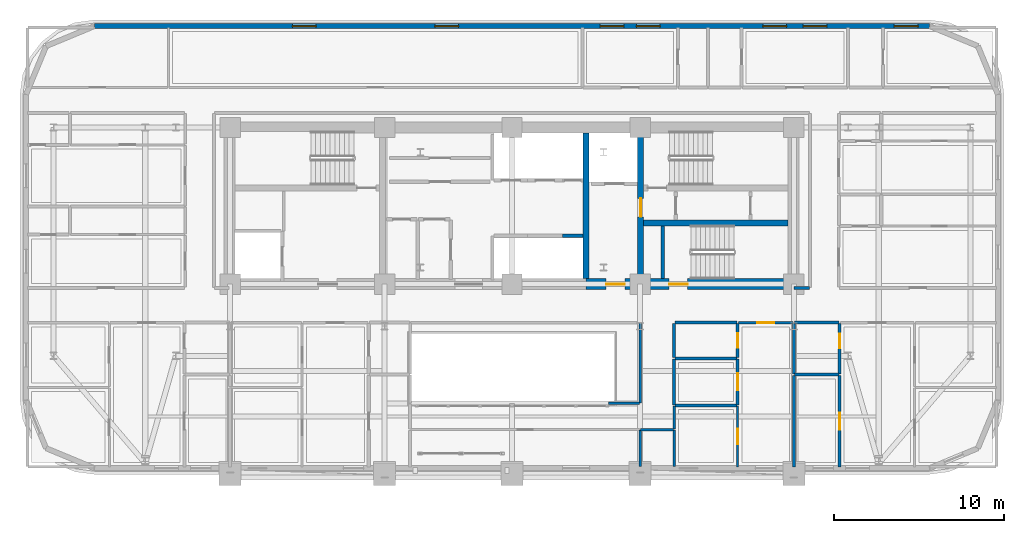
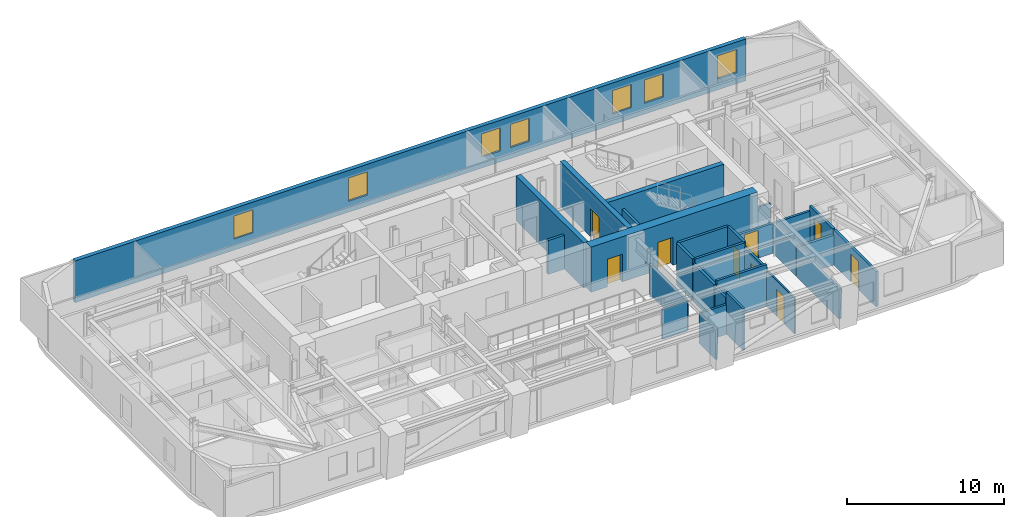
# One storey, part 11 of 16: 29 walls, 9 doors, 7 windows, 16 openings.
"""IFC4 building model written with IfcOpenShell, lengths in metres."""

from ifc_helpers import new_model, si_unit, direction, frame, frame_2d, origin, place, context, subcontext, project, spatial, rectangle, extrude, material, layer, layer_set, type_object, element, fill, save


model = new_model("IFC4")

# Units and contexts
model_context = context("Model", 3, precision=1e-05, world=origin(), true_north=direction((0.0, 1.0)))
body_context = subcontext(model_context, "Body", "Model", "MODEL_VIEW")
ifc_project = project(units=[si_unit("LENGTHUNIT", "METRE"), si_unit("AREAUNIT", "SQUARE_METRE"), si_unit("VOLUMEUNIT", "CUBIC_METRE"), si_unit("PLANEANGLEUNIT", "RADIAN"), si_unit("MASSUNIT", "GRAM", prefix="KILO")], contexts=[model_context])

# Site, building, storey
site_placement = place(None, origin())
site = spatial("IfcSite", under=ifc_project, at=site_placement, CompositionType="ELEMENT")
building_placement = place(site_placement, origin())
building = spatial("IfcBuilding", under=site, at=building_placement, Name="Zarnavel Station Tower", CompositionType="ELEMENT")
storey_placement = place(building_placement, frame((0.0, 0.0, 104.800048828125)))
storey = spatial("IfcBuildingStorey", under=building, at=storey_placement, Name="L28", CompositionType="ELEMENT", Elevation=104.800048828125)

# Wall
ifc_material_1 = material(Name="Concrete C50/60", Category="concrete")
ifc_layer_1 = layer(ifc_material_1, 0.35009765625)
ifc_layer_set_1 = layer_set([ifc_layer_1], Name="CW_350")
wall_type_1 = type_object("IfcWallType", Name="CW_350", PredefinedType="SHEAR", material=ifc_layer_set_1)
wall_1_placement = place(storey_placement, frame((33.14990234375, 28.14501953125, 0.0), z_axis=(0.0, 0.0, 1.0), x_axis=(0.0, 1.0, 0.0)))
element("IfcWall", 1, at=wall_1_placement, inside=storey, type_object=wall_type_1, Name="L28 Rear Core Shear Wall DIV-E", PredefinedType="SHEAR", context=body_context, shape_type="SweptSolid", body=[
    extrude(rectangle(XDim=8.580078125, YDim=0.35009765625, at=frame_2d((4.2900390625, 0.0))), origin(), (0.0, 0.0, 1.0), 3.5),
])

# Wall, opening, door
wall_2_placement = place(storey_placement, frame((36.3798828125, 28.14501953125, 0.0), z_axis=(0.0, 0.0, 1.0), x_axis=(0.0, 1.0, 0.0)))
wall_2 = element("IfcWall", 2, at=wall_2_placement, inside=storey, type_object=wall_type_1, Name="L28 Rear Core Shear Wall DIV-S2", PredefinedType="SHEAR", context=body_context, shape_type="SweptSolid", body=[
    extrude(rectangle(XDim=8.580078125, YDim=0.35009765625, at=frame_2d((4.2900390625, 0.0))), origin(), (0.0, 0.0, 1.0), 3.5),
])
opening_1_placement = place(wall_2_placement, frame((3.635009765625, 0.0, 0.0)))
opening_1 = element("IfcOpeningElement", 3, at=opening_1_placement, cuts=wall_2, Name="Opening FD01", PredefinedType="OPENING", context=body_context, shape_type="SweptSolid", body=[
    extrude(rectangle(XDim=1.10009765625, YDim=2.14990234375, at=frame_2d((0.550048828125, 1.074951171875))), frame((0.0, 0.18505859375, 0.0), z_axis=(0.0, -1.0, 0.0), x_axis=(1.0, 0.0, 0.0)), (0.0, 0.0, 1.0), 0.3701171875),
])
ifc_material_2 = material(Name="Painted Galvanised Steel and Hardwood Leaf", Category="steel")
door_type_1 = type_object("IfcDoorType", Name="ID_STAIR_1100", OperationType="NOTDEFINED", PredefinedType="DOOR", material=ifc_material_2)
door_1_placement = place(opening_1_placement, origin())
door_1 = element("IfcDoor", 4, at=door_1_placement, inside=storey, type_object=door_type_1, Name="L28 East Stair Vestibule Fire Door", OperationType="SINGLE_SWING_LEFT", OverallHeight=2.14990234375, OverallWidth=1.10009765625, PredefinedType="DOOR", context=body_context, shape_type="SweptSolid", body=[
    extrude(rectangle(XDim=1.10009765625, YDim=2.14990234375, at=frame_2d((0.550048828125, 1.074951171875))), frame((0.0, 0.02490234375, 0.0), z_axis=(0.0, -1.0, 0.0), x_axis=(1.0, 0.0, 0.0)), (0.0, 0.0, 1.0), 0.050048828125),
])
fill(opening_1, door_1)

# Wall
wall_3_placement = place(storey_placement, frame((36.554931640625, 31.419921875, 0.0), z_axis=(0.0, 0.0, 1.0), x_axis=(1.0, 0.0, 0.0)))
element("IfcWall", 5, at=wall_3_placement, inside=storey, type_object=wall_type_1, Name="L28 Rear Core Shear Wall DIV-H3", PredefinedType="SHEAR", context=body_context, shape_type="SweptSolid", body=[
    extrude(rectangle(XDim=8.5, YDim=0.35009765625, at=frame_2d((4.25, 0.0))), origin(), (0.0, 0.0, 1.0), 3.5),
])

# Wall, openings, doors
ifc_material_3 = material(Name="Concrete C60/75", Category="concrete")
ifc_layer_2 = layer(ifc_material_3, 0.64990234375)
ifc_layer_set_2 = layer_set([ifc_layer_2], Name="CW_650")
wall_type_2 = type_object("IfcWallType", Name="CW_650", PredefinedType="SHEAR", material=ifc_layer_set_2)
wall_4_placement = place(storey_placement, frame((45.3798828125, 27.820068359375, 0.0), z_axis=(0.0, 0.0, 1.0), x_axis=(-1.0, 0.0, 0.0)))
wall_4 = element("IfcWall", 6, at=wall_4_placement, inside=storey, type_object=wall_type_2, Name="L28 Rear Core Shear Wall S-E", PredefinedType="SHEAR", context=body_context, shape_type="SweptSolid", body=[
    extrude(rectangle(XDim=12.22998046875, YDim=0.64990234375, at=frame_2d((6.114990234375, 0.0))), origin(), (0.0, 0.0, 1.0), 3.5),
])
opening_2_placement = place(wall_4_placement, frame((9.929931640625, 0.0, 0.0)))
opening_2 = element("IfcOpeningElement", 7, at=opening_2_placement, cuts=wall_4, Name="Opening FD01", PredefinedType="OPENING", context=body_context, shape_type="SweptSolid", body=[
    extrude(rectangle(XDim=1.10009765625, YDim=2.14990234375, at=frame_2d((0.550048828125, 1.074951171875))), frame((0.0, 0.3349609375, 0.0), z_axis=(0.0, -1.0, 0.0), x_axis=(1.0, 0.0, 0.0)), (0.0, 0.0, 1.0), 0.669921875),
])
opening_3_placement = place(wall_4_placement, frame((6.22998046875, 0.0, 0.0)))
opening_3 = element("IfcOpeningElement", 8, at=opening_3_placement, cuts=wall_4, Name="Opening FD01", PredefinedType="OPENING", context=body_context, shape_type="SweptSolid", body=[
    extrude(rectangle(XDim=1.10009765625, YDim=2.14990234375, at=frame_2d((0.550048828125, 1.074951171875))), frame((0.0, 0.3349609375, 0.0), z_axis=(0.0, -1.0, 0.0), x_axis=(1.0, 0.0, 0.0)), (0.0, 0.0, 1.0), 0.669921875),
])
door_2_placement = place(opening_2_placement, origin())
door_2 = element("IfcDoor", 9, at=door_2_placement, inside=storey, type_object=door_type_1, Name="L28 East Firefighting Lobby Door", OperationType="SINGLE_SWING_LEFT", OverallHeight=2.14990234375, OverallWidth=1.10009765625, PredefinedType="DOOR", context=body_context, shape_type="SweptSolid", body=[
    extrude(rectangle(XDim=1.10009765625, YDim=2.14990234375, at=frame_2d((0.550048828125, 1.074951171875))), frame((0.0, 0.02490234375, 0.0), z_axis=(0.0, -1.0, 0.0), x_axis=(1.0, 0.0, 0.0)), (0.0, 0.0, 1.0), 0.050048828125),
])
fill(opening_2, door_2)
door_3_placement = place(opening_3_placement, origin())
door_3 = element("IfcDoor", 10, at=door_3_placement, inside=storey, type_object=door_type_1, Name="L28 Stair ST3 Corridor Fire Door", OperationType="SINGLE_SWING_RIGHT", OverallHeight=2.14990234375, OverallWidth=1.10009765625, PredefinedType="DOOR", context=body_context, shape_type="SweptSolid", body=[
    extrude(rectangle(XDim=1.10009765625, YDim=2.14990234375, at=frame_2d((0.550048828125, 1.074951171875))), frame((0.0, 0.02490234375, 0.0), z_axis=(0.0, -1.0, 0.0), x_axis=(1.0, 0.0, 0.0)), (0.0, 0.0, 1.0), 0.050048828125),
])
fill(opening_3, door_3)

# Wall, openings, windows
ifc_material_4 = material(Name="Precast concrete C45/55 (Dark Basalt Finish)", Category="masonry")
ifc_layer_3 = layer(ifc_material_4, 0.300048828125)
ifc_layer_set_3 = layer_set([ifc_layer_3], Name="EW_BASALT_300")
wall_type_3 = type_object("IfcWallType", Name="EW_BASALT_300", PredefinedType="SOLIDWALL", material=ifc_layer_set_3)
wall_5_placement = place(storey_placement, frame((4.199951171875, 43.02001953125, 0.0), z_axis=(0.0, 0.0, 1.0), x_axis=(1.0, 0.0, 0.0)))
wall_5 = element("IfcWall", 11, at=wall_5_placement, inside=storey, type_object=wall_type_3, Name="L28 Exterior Basalt Masonry Frame Wall 06", PredefinedType="SOLIDWALL", context=body_context, shape_type="SweptSolid", body=[
    extrude(rectangle(XDim=49.199951171875, YDim=0.300048828125, at=frame_2d((24.60009765625, 0.0))), origin(), (0.0, 0.0, 1.0), 3.239990234375),
])
opening_4_placement = place(wall_5_placement, frame((11.65673828125, 0.0, 0.85009765625)))
opening_4 = element("IfcOpeningElement", 12, at=opening_4_placement, cuts=wall_5, Name="Opening WN01", PredefinedType="OPENING", context=body_context, shape_type="SweptSolid", body=[
    extrude(rectangle(XDim=1.39990234375, YDim=1.800048828125, at=frame_2d((0.699951171875, 0.89990234375))), frame((0.0, 0.159912109375, 0.0), z_axis=(0.0, -1.0, 0.0), x_axis=(1.0, 0.0, 0.0)), (0.0, 0.0, 1.0), 0.320068359375),
])
opening_5_placement = place(wall_5_placement, frame((20.05322265625, 0.0, 0.85009765625)))
opening_5 = element("IfcOpeningElement", 13, at=opening_5_placement, cuts=wall_5, Name="Opening WN01", PredefinedType="OPENING", context=body_context, shape_type="SweptSolid", body=[
    extrude(rectangle(XDim=1.39990234375, YDim=1.800048828125, at=frame_2d((0.699951171875, 0.89990234375))), frame((0.0, 0.159912109375, 0.0), z_axis=(0.0, -1.0, 0.0), x_axis=(1.0, 0.0, 0.0)), (0.0, 0.0, 1.0), 0.320068359375),
])
opening_6_placement = place(wall_5_placement, frame((29.7890625, 0.0, 0.85009765625)))
opening_6 = element("IfcOpeningElement", 14, at=opening_6_placement, cuts=wall_5, Name="Opening WN01", PredefinedType="OPENING", context=body_context, shape_type="SweptSolid", body=[
    extrude(rectangle(XDim=1.39990234375, YDim=1.800048828125, at=frame_2d((0.699951171875, 0.89990234375))), frame((0.0, 0.159912109375, 0.0), z_axis=(0.0, -1.0, 0.0), x_axis=(1.0, 0.0, 0.0)), (0.0, 0.0, 1.0), 0.320068359375),
])
opening_7_placement = place(wall_5_placement, frame((31.927978515625, 0.0, 0.85009765625)))
opening_7 = element("IfcOpeningElement", 15, at=opening_7_placement, cuts=wall_5, Name="Opening WN01", PredefinedType="OPENING", context=body_context, shape_type="SweptSolid", body=[
    extrude(rectangle(XDim=1.39990234375, YDim=1.800048828125, at=frame_2d((0.699951171875, 0.89990234375))), frame((0.0, 0.159912109375, 0.0), z_axis=(0.0, -1.0, 0.0), x_axis=(1.0, 0.0, 0.0)), (0.0, 0.0, 1.0), 0.320068359375),
])
opening_8_placement = place(wall_5_placement, frame((39.382080078125, 0.0, 0.85009765625)))
opening_8 = element("IfcOpeningElement", 16, at=opening_8_placement, cuts=wall_5, Name="Opening WN01", PredefinedType="OPENING", context=body_context, shape_type="SweptSolid", body=[
    extrude(rectangle(XDim=1.39990234375, YDim=1.800048828125, at=frame_2d((0.699951171875, 0.89990234375))), frame((0.0, 0.159912109375, 0.0), z_axis=(0.0, -1.0, 0.0), x_axis=(1.0, 0.0, 0.0)), (0.0, 0.0, 1.0), 0.320068359375),
])
opening_9_placement = place(wall_5_placement, frame((41.740966796875, 0.0, 0.85009765625)))
opening_9 = element("IfcOpeningElement", 17, at=opening_9_placement, cuts=wall_5, Name="Opening WN01", PredefinedType="OPENING", context=body_context, shape_type="SweptSolid", body=[
    extrude(rectangle(XDim=1.39990234375, YDim=1.800048828125, at=frame_2d((0.699951171875, 0.89990234375))), frame((0.0, 0.159912109375, 0.0), z_axis=(0.0, -1.0, 0.0), x_axis=(1.0, 0.0, 0.0)), (0.0, 0.0, 1.0), 0.320068359375),
])
opening_10_placement = place(wall_5_placement, frame((47.114990234375, 0.0, 0.85009765625)))
opening_10 = element("IfcOpeningElement", 18, at=opening_10_placement, cuts=wall_5, Name="Opening WN01", PredefinedType="OPENING", context=body_context, shape_type="SweptSolid", body=[
    extrude(rectangle(XDim=1.39990234375, YDim=1.800048828125, at=frame_2d((0.699951171875, 0.89990234375))), frame((0.0, 0.159912109375, 0.0), z_axis=(0.0, -1.0, 0.0), x_axis=(1.0, 0.0, 0.0)), (0.0, 0.0, 1.0), 0.320068359375),
])
ifc_material_5 = material(Name="Thermally Broken Black Aluminium and Low-E Dark Glass", Category="aluminium")
window_type = type_object("IfcWindowType", Name="WN_1400x1800", PartitioningType="DOUBLE_PANEL_VERTICAL", PredefinedType="WINDOW", material=ifc_material_5)
window_1_placement = place(opening_4_placement, origin())
window_1 = element("IfcWindow", 19, at=window_1_placement, inside=storey, type_object=window_type, Name="L28 Recessed Facade Window 01", OverallHeight=1.800048828125, OverallWidth=1.39990234375, PartitioningType="SINGLE_PANEL", PredefinedType="WINDOW", context=body_context, shape_type="SweptSolid", body=[
    extrude(rectangle(XDim=1.39990234375, YDim=1.800048828125, at=frame_2d((0.699951171875, 0.89990234375))), frame((0.0, 0.030029296875, 0.0), z_axis=(0.0, -1.0, 0.0), x_axis=(1.0, 0.0, 0.0)), (0.0, 0.0, 1.0), 0.06005859375),
])
fill(opening_4, window_1)
window_2_placement = place(opening_5_placement, origin())
window_2 = element("IfcWindow", 20, at=window_2_placement, inside=storey, type_object=window_type, Name="L28 Recessed Facade Window 02", OverallHeight=1.800048828125, OverallWidth=1.39990234375, PartitioningType="SINGLE_PANEL", PredefinedType="WINDOW", context=body_context, shape_type="SweptSolid", body=[
    extrude(rectangle(XDim=1.39990234375, YDim=1.800048828125, at=frame_2d((0.699951171875, 0.89990234375))), frame((0.0, 0.030029296875, 0.0), z_axis=(0.0, -1.0, 0.0), x_axis=(1.0, 0.0, 0.0)), (0.0, 0.0, 1.0), 0.06005859375),
])
fill(opening_5, window_2)
window_3_placement = place(opening_6_placement, origin())
window_3 = element("IfcWindow", 21, at=window_3_placement, inside=storey, type_object=window_type, Name="L28 Recessed Facade Window 03", OverallHeight=1.800048828125, OverallWidth=1.39990234375, PartitioningType="SINGLE_PANEL", PredefinedType="WINDOW", context=body_context, shape_type="SweptSolid", body=[
    extrude(rectangle(XDim=1.39990234375, YDim=1.800048828125, at=frame_2d((0.699951171875, 0.89990234375))), frame((0.0, 0.030029296875, 0.0), z_axis=(0.0, -1.0, 0.0), x_axis=(1.0, 0.0, 0.0)), (0.0, 0.0, 1.0), 0.06005859375),
])
fill(opening_6, window_3)
window_4_placement = place(opening_7_placement, origin())
window_4 = element("IfcWindow", 22, at=window_4_placement, inside=storey, type_object=window_type, Name="L28 Recessed Facade Window 04", OverallHeight=1.800048828125, OverallWidth=1.39990234375, PartitioningType="SINGLE_PANEL", PredefinedType="WINDOW", context=body_context, shape_type="SweptSolid", body=[
    extrude(rectangle(XDim=1.39990234375, YDim=1.800048828125, at=frame_2d((0.699951171875, 0.89990234375))), frame((0.0, 0.030029296875, 0.0), z_axis=(0.0, -1.0, 0.0), x_axis=(1.0, 0.0, 0.0)), (0.0, 0.0, 1.0), 0.06005859375),
])
fill(opening_7, window_4)
window_5_placement = place(opening_8_placement, origin())
window_5 = element("IfcWindow", 23, at=window_5_placement, inside=storey, type_object=window_type, Name="L28 Recessed Facade Window 05", OverallHeight=1.800048828125, OverallWidth=1.39990234375, PartitioningType="SINGLE_PANEL", PredefinedType="WINDOW", context=body_context, shape_type="SweptSolid", body=[
    extrude(rectangle(XDim=1.39990234375, YDim=1.800048828125, at=frame_2d((0.699951171875, 0.89990234375))), frame((0.0, 0.030029296875, 0.0), z_axis=(0.0, -1.0, 0.0), x_axis=(1.0, 0.0, 0.0)), (0.0, 0.0, 1.0), 0.06005859375),
])
fill(opening_8, window_5)
window_6_placement = place(opening_9_placement, origin())
window_6 = element("IfcWindow", 24, at=window_6_placement, inside=storey, type_object=window_type, Name="L28 Recessed Facade Window 06", OverallHeight=1.800048828125, OverallWidth=1.39990234375, PartitioningType="SINGLE_PANEL", PredefinedType="WINDOW", context=body_context, shape_type="SweptSolid", body=[
    extrude(rectangle(XDim=1.39990234375, YDim=1.800048828125, at=frame_2d((0.699951171875, 0.89990234375))), frame((0.0, 0.030029296875, 0.0), z_axis=(0.0, -1.0, 0.0), x_axis=(1.0, 0.0, 0.0)), (0.0, 0.0, 1.0), 0.06005859375),
])
fill(opening_9, window_6)
window_7_placement = place(opening_10_placement, origin())
window_7 = element("IfcWindow", 25, at=window_7_placement, inside=storey, type_object=window_type, Name="L28 Recessed Facade Window 07", OverallHeight=1.800048828125, OverallWidth=1.39990234375, PartitioningType="SINGLE_PANEL", PredefinedType="WINDOW", context=body_context, shape_type="SweptSolid", body=[
    extrude(rectangle(XDim=1.39990234375, YDim=1.800048828125, at=frame_2d((0.699951171875, 0.89990234375))), frame((0.0, 0.030029296875, 0.0), z_axis=(0.0, -1.0, 0.0), x_axis=(1.0, 0.0, 0.0)), (0.0, 0.0, 1.0), 0.06005859375),
])
fill(opening_10, window_7)

# Wall, opening, door
ifc_material_6 = material(Name="Gypsum Twin-Stud Acoustic Fire Partition", Category="concrete")
ifc_layer_4 = layer(ifc_material_6, 0.159912109375)
ifc_layer_set_4 = layer_set([ifc_layer_4], Name="PT_DEMISE_160")
wall_type_4 = type_object("IfcWallType", Name="PT_DEMISE_160", PredefinedType="PARTITIONING", material=ifc_layer_set_4)
wall_6_placement = place(storey_placement, frame((42.126953125, 25.550048828125, 0.0), z_axis=(0.0, 0.0, 1.0), x_axis=(1.0, 0.0, 0.0)))
wall_6 = element("IfcWall", 26, at=wall_6_placement, inside=storey, type_object=wall_type_4, Name="L28 Partition COR-S-UE1ALV", PredefinedType="PARTITIONING", context=body_context, shape_type="SweptSolid", body=[
    extrude(rectangle(XDim=3.233154296875, YDim=0.159912109375, at=frame_2d((1.61669921875, 0.0))), origin(), (0.0, 0.0, 1.0), 2.31005859375),
])
opening_11_placement = place(wall_6_placement, frame((1.116455078125, 0.0, 0.0)))
opening_11 = element("IfcOpeningElement", 27, at=opening_11_placement, cuts=wall_6, Name="Opening FD02", PredefinedType="OPENING", context=body_context, shape_type="SweptSolid", body=[
    extrude(rectangle(XDim=1.0, YDim=2.14990234375, at=frame_2d((0.5, 1.074951171875))), frame((0.0, 0.08984375, 0.0), z_axis=(0.0, -1.0, 0.0), x_axis=(1.0, 0.0, 0.0)), (0.0, 0.0, 1.0), 0.179931640625),
])
ifc_material_7 = material(Name="Painted Galvanised Steel and Hardwood Leaf", Category="steel")
door_type_2 = type_object("IfcDoorType", Name="ID_ENTRY_1000", OperationType="NOTDEFINED", PredefinedType="DOOR", material=ifc_material_7)
door_4_placement = place(opening_11_placement, origin())
door_4 = element("IfcDoor", 28, at=door_4_placement, inside=storey, type_object=door_type_2, Name="L28 Door COR-S-UE1ALV", OperationType="SINGLE_SWING_LEFT", OverallHeight=2.14990234375, OverallWidth=1.0, PredefinedType="DOOR", context=body_context, shape_type="SweptSolid", body=[
    extrude(rectangle(XDim=1.0, YDim=2.14990234375, at=frame_2d((0.5, 1.074951171875))), frame((0.0, 0.02490234375, 0.0), z_axis=(0.0, -1.0, 0.0), x_axis=(1.0, 0.0, 0.0)), (0.0, 0.0, 1.0), 0.050048828125),
])
fill(opening_11, door_4)

# Walls
wall_7_placement = place(storey_placement, frame((38.35009765625, 19.2900390625, 0.0), z_axis=(0.0, 0.0, 1.0), x_axis=(0.0, 1.0, 0.0)))
element("IfcWall", 29, at=wall_7_placement, inside=storey, type_object=wall_type_4, Name="L28 Partition COR-AE-UE1AB1", PredefinedType="PARTITIONING", context=body_context, shape_type="SweptSolid", body=[
    extrude(rectangle(XDim=1.343017578125, YDim=0.159912109375, at=frame_2d((0.67138671875, 0.0))), origin(), (0.0, 0.0, 1.0), 2.780029296875),
])
wall_8_placement = place(storey_placement, frame((45.409912109375, 27.60009765625, 0.0), z_axis=(0.0, 0.0, 1.0), x_axis=(1.0, 0.0, 0.0)))
element("IfcWall", 30, at=wall_8_placement, inside=storey, type_object=wall_type_4, Name="L28 Enclosure Wall COR-S", PredefinedType="PARTITIONING", context=body_context, shape_type="SweptSolid", body=[
    extrude(rectangle(XDim=0.91015625, YDim=0.159912109375, at=frame_2d((0.455078125, 0.0))), origin(), (0.0, 0.0, 1.0), 2.280029296875),
])
wall_9_placement = place(storey_placement, frame((36.3798828125, 19.25, 0.0), z_axis=(0.0, 0.0, 1.0), x_axis=(1.0, 0.0, 0.0)))
element("IfcWall", 31, at=wall_9_placement, inside=storey, type_object=wall_type_4, Name="L28 Enclosure Wall COR-AE", PredefinedType="PARTITIONING", context=body_context, shape_type="SweptSolid", body=[
    extrude(rectangle(XDim=1.940185546875, YDim=0.159912109375, at=frame_2d((0.97021484375, 0.0))), origin(), (0.0, 0.0, 1.0), 2.31005859375),
])
wall_10_placement = place(storey_placement, frame((36.35009765625, 20.830078125, 0.0), z_axis=(0.0, 0.0, 1.0), x_axis=(0.0, 1.0, 0.0)))
element("IfcWall", 32, at=wall_10_placement, inside=storey, type_object=wall_type_4, Name="L28 Enclosure Wall COR-AE", PredefinedType="PARTITIONING", context=body_context, shape_type="SweptSolid", body=[
    extrude(rectangle(XDim=4.68994140625, YDim=0.159912109375, at=frame_2d((2.344970703125, 0.0))), origin(), (0.0, 0.0, 1.0), 2.31005859375),
])
wall_11_placement = place(storey_placement, frame((34.47998046875, 20.800048828125, 0.0), z_axis=(0.0, 0.0, 1.0), x_axis=(1.0, 0.0, 0.0)))
element("IfcWall", 33, at=wall_11_placement, inside=storey, type_object=wall_type_4, Name="L28 Enclosure Wall COR-AS", PredefinedType="PARTITIONING", context=body_context, shape_type="SweptSolid", body=[
    extrude(rectangle(XDim=1.840087890625, YDim=0.159912109375, at=frame_2d((0.919921875, 0.0))), origin(), (0.0, 0.0, 1.0), 2.31005859375),
])
wall_12_placement = place(storey_placement, frame((36.35009765625, 17.090087890625, 0.0), z_axis=(0.0, 0.0, 1.0), x_axis=(0.0, 1.0, 0.0)))
element("IfcWall", 34, at=wall_12_placement, inside=storey, type_object=wall_type_4, Name="L28 Enclosure Wall L27FOY", PredefinedType="PARTITIONING", context=body_context, shape_type="SweptSolid", body=[
    extrude(rectangle(XDim=2.1298828125, YDim=0.159912109375, at=frame_2d((1.06494140625, 0.0))), origin(), (0.0, 0.0, 1.0), 2.31005859375),
])
wall_13_placement = place(storey_placement, frame((38.35009765625, 17.090087890625, 0.0), z_axis=(0.0, 0.0, 1.0), x_axis=(0.0, 1.0, 0.0)))
element("IfcWall", 35, at=wall_13_placement, inside=storey, type_object=wall_type_4, Name="L28 Enclosure Wall UE1AB1", PredefinedType="PARTITIONING", context=body_context, shape_type="SweptSolid", body=[
    extrude(rectangle(XDim=2.1298828125, YDim=0.159912109375, at=frame_2d((1.06494140625, 0.0))), origin(), (0.0, 0.0, 1.0), 3.239990234375),
])

# Wall, opening, door
ifc_material_8 = material(Name="Gypsum Metal-Stud Interior Partition", Category="concrete")
ifc_layer_5 = layer(ifc_material_8, 0.1201171875)
ifc_layer_set_5 = layer_set([ifc_layer_5], Name="PT_ROOM_120")
wall_type_5 = type_object("IfcWallType", Name="PT_ROOM_120", PredefinedType="PARTITIONING", material=ifc_layer_set_5)
wall_14_placement = place(storey_placement, frame((42.0869140625, 17.06005859375, 0.0), z_axis=(0.0, 0.0, 1.0), x_axis=(0.0, 1.0, 0.0)))
wall_14 = element("IfcWall", 36, at=wall_14_placement, inside=storey, type_object=wall_type_5, Name="L28 Partition UE1ALV-UE1AB1", PredefinedType="PARTITIONING", context=body_context, shape_type="SweptSolid", body=[
    extrude(rectangle(XDim=3.572998046875, YDim=0.1201171875, at=frame_2d((1.78662109375, 0.0))), origin(), (0.0, 0.0, 1.0), 2.780029296875),
])
opening_12_placement = place(wall_14_placement, frame((1.33642578125, 0.0, 0.0)))
opening_12 = element("IfcOpeningElement", 37, at=opening_12_placement, cuts=wall_14, Name="Opening ID01", PredefinedType="OPENING", context=body_context, shape_type="SweptSolid", body=[
    extrude(rectangle(XDim=0.89990234375, YDim=2.10009765625, at=frame_2d((0.449951171875, 1.050048828125))), frame((0.0, 0.070068359375, 0.0), z_axis=(0.0, -1.0, 0.0), x_axis=(1.0, 0.0, 0.0)), (0.0, 0.0, 1.0), 0.14013671875),
])
ifc_material_9 = material(Name="Painted Galvanised Steel and Hardwood Leaf", Category="steel")
door_type_3 = type_object("IfcDoorType", Name="ID_ROOM_900", OperationType="NOTDEFINED", PredefinedType="DOOR", material=ifc_material_9)
door_5_placement = place(opening_12_placement, origin())
door_5 = element("IfcDoor", 38, at=door_5_placement, inside=storey, type_object=door_type_3, Name="L28 Door UE1ALV-UE1AB1", OperationType="SINGLE_SWING_RIGHT", OverallHeight=2.10009765625, OverallWidth=0.89990234375, PredefinedType="DOOR", context=body_context, shape_type="SweptSolid", body=[
    extrude(rectangle(XDim=0.89990234375, YDim=2.10009765625, at=frame_2d((0.449951171875, 1.050048828125))), frame((0.0, 0.02490234375, 0.0), z_axis=(0.0, -1.0, 0.0), x_axis=(1.0, 0.0, 0.0)), (0.0, 0.0, 1.0), 0.050048828125),
])
fill(opening_12, door_5)

# Walls
ifc_material_10 = material(Name="Precast concrete C45/55 (Fire Shaft Blockwork)", Category="masonry")
ifc_layer_6 = layer(ifc_material_10, 0.199951171875)
ifc_layer_set_6 = layer_set([ifc_layer_6], Name="PT_SHAFT_200")
wall_type_6 = type_object("IfcWallType", Name="PT_SHAFT_200", PredefinedType="PARTITIONING", material=ifc_layer_set_6)
wall_15_placement = place(storey_placement, frame((31.77490234375, 30.669921875, 0.0), z_axis=(0.0, 0.0, 1.0), x_axis=(1.0, 0.0, 0.0)))
element("IfcWall", 39, at=wall_15_placement, inside=storey, type_object=wall_type_6, Name="L28 Lift PL-H3 Shaft Front Wall", PredefinedType="PARTITIONING", context=body_context, shape_type="SweptSolid", body=[
    extrude(rectangle(XDim=1.2001953125, YDim=0.199951171875, at=frame_2d((0.60009765625, 0.0))), origin(), (0.0, 0.0, 1.0), 2.619873046875),
])
wall_16_placement = place(storey_placement, frame((37.679931640625, 28.14501953125, 0.0), z_axis=(0.0, 0.0, 1.0), x_axis=(0.0, 1.0, 0.0)))
element("IfcWall", 40, at=wall_16_placement, inside=storey, type_object=wall_type_6, Name="L28 Stair ST3 West Shaft Wall", PredefinedType="PARTITIONING", context=body_context, shape_type="SweptSolid", body=[
    extrude(rectangle(XDim=3.10498046875, YDim=0.199951171875, at=frame_2d((1.552490234375, 0.0))), origin(), (0.0, 0.0, 1.0), 2.619873046875),
])
ifc_material_11 = material(Name="Moisture-Resistant Plumbing Chase Wall", Category="concrete")
ifc_layer_7 = layer(ifc_material_11, 0.179931640625)
ifc_layer_set_7 = layer_set([ifc_layer_7], Name="PW_PLUMB_180")
wall_type_7 = type_object("IfcWallType", Name="PW_PLUMB_180", PredefinedType="PLUMBINGWALL", material=ifc_layer_set_7)
wall_17_placement = place(storey_placement, frame((38.389892578125, 25.550048828125, 0.0), z_axis=(0.0, 0.0, 1.0), x_axis=(1.0, 0.0, 0.0)))
element("IfcWall", 41, at=wall_17_placement, inside=storey, type_object=wall_type_7, Name="L28 Partition COR-S-UE1ABA", PredefinedType="PLUMBINGWALL", context=body_context, shape_type="SweptSolid", body=[
    extrude(rectangle(XDim=3.6572265625, YDim=0.179931640625, at=frame_2d((1.82861328125, 0.0))), origin(), (0.0, 0.0, 1.0), 3.239990234375),
])
wall_18_placement = place(storey_placement, frame((45.43994140625, 25.550048828125, 0.0), z_axis=(0.0, 0.0, 1.0), x_axis=(1.0, 0.0, 0.0)))
element("IfcWall", 42, at=wall_18_placement, inside=storey, type_object=wall_type_7, Name="L28 Partition COR-S-UE1BBA", PredefinedType="PLUMBINGWALL", context=body_context, shape_type="SweptSolid", body=[
    extrude(rectangle(XDim=2.6201171875, YDim=0.179931640625, at=frame_2d((1.31005859375, 0.0))), origin(), (0.0, 0.0, 1.0), 2.31005859375),
])
wall_19_placement = place(storey_placement, frame((38.35009765625, 20.712890625, 0.0), z_axis=(0.0, 0.0, 1.0), x_axis=(0.0, 1.0, 0.0)))
element("IfcWall", 43, at=wall_19_placement, inside=storey, type_object=wall_type_7, Name="L28 Partition COR-AE-UE1AKT", PredefinedType="PLUMBINGWALL", context=body_context, shape_type="SweptSolid", body=[
    extrude(rectangle(XDim=2.7001953125, YDim=0.179931640625, at=frame_2d((1.35009765625, 0.0))), origin(), (0.0, 0.0, 1.0), 2.909912109375),
])
wall_20_placement = place(storey_placement, frame((38.35009765625, 23.492919921875, 0.0), z_axis=(0.0, 0.0, 1.0), x_axis=(0.0, 1.0, 0.0)))
element("IfcWall", 44, at=wall_20_placement, inside=storey, type_object=wall_type_7, Name="L28 Partition COR-AE-UE1ABA", PredefinedType="PLUMBINGWALL", context=body_context, shape_type="SweptSolid", body=[
    extrude(rectangle(XDim=2.01708984375, YDim=0.179931640625, at=frame_2d((1.008544921875, 0.0))), origin(), (0.0, 0.0, 1.0), 3.239990234375),
])

# Wall, opening, door
wall_21_placement = place(storey_placement, frame((42.0869140625, 20.712890625, 0.0), z_axis=(0.0, 0.0, 1.0), x_axis=(0.0, 1.0, 0.0)))
wall_21 = element("IfcWall", 45, at=wall_21_placement, inside=storey, type_object=wall_type_7, Name="L28 Partition UE1ALV-UE1AKT", PredefinedType="PLUMBINGWALL", context=body_context, shape_type="SweptSolid", body=[
    extrude(rectangle(XDim=2.7001953125, YDim=0.179931640625, at=frame_2d((1.35009765625, 0.0))), origin(), (0.0, 0.0, 1.0), 2.909912109375),
])
opening_13_placement = place(wall_21_placement, frame((0.85009765625, 0.0, 0.0)))
opening_13 = element("IfcOpeningElement", 46, at=opening_13_placement, cuts=wall_21, Name="Opening FD02", PredefinedType="OPENING", context=body_context, shape_type="SweptSolid", body=[
    extrude(rectangle(XDim=1.0, YDim=2.14990234375, at=frame_2d((0.5, 1.074951171875))), frame((0.0, 0.099853515625, 0.0), z_axis=(0.0, -1.0, 0.0), x_axis=(1.0, 0.0, 0.0)), (0.0, 0.0, 1.0), 0.199951171875),
])
door_6_placement = place(opening_13_placement, origin())
door_6 = element("IfcDoor", 47, at=door_6_placement, inside=storey, type_object=door_type_2, Name="L28 Door UE1ALV-UE1AKT", OperationType="SINGLE_SWING_LEFT", OverallHeight=2.14990234375, OverallWidth=1.0, PredefinedType="DOOR", context=body_context, shape_type="SweptSolid", body=[
    extrude(rectangle(XDim=1.0, YDim=2.14990234375, at=frame_2d((0.5, 1.074951171875))), frame((0.0, 0.02490234375, 0.0), z_axis=(0.0, -1.0, 0.0), x_axis=(1.0, 0.0, 0.0)), (0.0, 0.0, 1.0), 0.050048828125),
])
fill(opening_13, door_6)

wall_22_placement = place(storey_placement, frame((42.0869140625, 23.492919921875, 0.0), z_axis=(0.0, 0.0, 1.0), x_axis=(0.0, 1.0, 0.0)))
wall_22 = element("IfcWall", 48, at=wall_22_placement, inside=storey, type_object=wall_type_7, Name="L28 Partition UE1ALV-UE1ABA", PredefinedType="PLUMBINGWALL", context=body_context, shape_type="SweptSolid", body=[
    extrude(rectangle(XDim=2.01708984375, YDim=0.179931640625, at=frame_2d((1.008544921875, 0.0))), origin(), (0.0, 0.0, 1.0), 3.239990234375),
])
opening_14_placement = place(wall_22_placement, frame((0.58349609375, 0.0, 0.0)))
opening_14 = element("IfcOpeningElement", 49, at=opening_14_placement, cuts=wall_22, Name="Opening ID02", PredefinedType="OPENING", context=body_context, shape_type="SweptSolid", body=[
    extrude(rectangle(XDim=0.85009765625, YDim=2.10009765625, at=frame_2d((0.425048828125, 1.050048828125))), frame((0.0, 0.099853515625, 0.0), z_axis=(0.0, -1.0, 0.0), x_axis=(1.0, 0.0, 0.0)), (0.0, 0.0, 1.0), 0.199951171875),
])
ifc_material_12 = material(Name="Painted Galvanised Steel and Hardwood Leaf", Category="steel")
door_type_4 = type_object("IfcDoorType", Name="ID_BATH_850", OperationType="NOTDEFINED", PredefinedType="DOOR", material=ifc_material_12)
door_7_placement = place(opening_14_placement, origin())
door_7 = element("IfcDoor", 50, at=door_7_placement, inside=storey, type_object=door_type_4, Name="L28 Door UE1ALV-UE1ABA", OperationType="SINGLE_SWING_RIGHT", OverallHeight=2.10009765625, OverallWidth=0.85009765625, PredefinedType="DOOR", context=body_context, shape_type="SweptSolid", body=[
    extrude(rectangle(XDim=0.85009765625, YDim=2.10009765625, at=frame_2d((0.425048828125, 1.050048828125))), frame((0.0, 0.02490234375, 0.0), z_axis=(0.0, -1.0, 0.0), x_axis=(1.0, 0.0, 0.0)), (0.0, 0.0, 1.0), 0.050048828125),
])
fill(opening_14, door_7)

# Walls
wall_23_placement = place(storey_placement, frame((45.39990234375, 17.06005859375, 0.0), z_axis=(0.0, 0.0, 1.0), x_axis=(0.0, 1.0, 0.0)))
element("IfcWall", 51, at=wall_23_placement, inside=storey, type_object=wall_type_7, Name="L28 Partition UE1ALV-UE1BKT", PredefinedType="PLUMBINGWALL", context=body_context, shape_type="SweptSolid", body=[
    extrude(rectangle(XDim=5.39404296875, YDim=0.179931640625, at=frame_2d((2.697021484375, 0.0))), origin(), (0.0, 0.0, 1.0), 2.31005859375),
])
wall_24_placement = place(storey_placement, frame((45.39990234375, 22.533935546875, 0.0), z_axis=(0.0, 0.0, 1.0), x_axis=(0.0, 1.0, 0.0)))
element("IfcWall", 52, at=wall_24_placement, inside=storey, type_object=wall_type_7, Name="L28 Partition UE1ALV-UE1BBA", PredefinedType="PLUMBINGWALL", context=body_context, shape_type="SweptSolid", body=[
    extrude(rectangle(XDim=2.97607421875, YDim=0.179931640625, at=frame_2d((1.488037109375, 0.0))), origin(), (0.0, 0.0, 1.0), 2.31005859375),
])
for number, where, z_axis, x_axis, name in (
    (53, (38.389892578125, 20.673095703125, 0.0), (0.0, 0.0, 1.0), (1.0, 0.0, 0.0), "L28 Partition UE1AB1-UE1AKT"),
    (54, (38.389892578125, 23.452880859375, 0.0), (0.0, 0.0, 1.0), (1.0, 0.0, 0.0), "L28 Partition UE1AKT-UE1ABA"),
):
    element("IfcWall", number, at=place(storey_placement, frame(where, z_axis=z_axis, x_axis=x_axis)), inside=storey, type_object=wall_type_7, Name=name, PredefinedType="PLUMBINGWALL", context=body_context, shape_type="SweptSolid", body=[
        extrude(rectangle(XDim=3.6572265625, YDim=0.179931640625, at=frame_2d((1.82861328125, 0.0))), origin(), (0.0, 0.0, 1.0), 3.239990234375),
    ])

# Wall, opening, door
wall_25_placement = place(storey_placement, frame((48.10009765625, 17.06005859375, 0.0), z_axis=(0.0, 0.0, 1.0), x_axis=(0.0, 1.0, 0.0)))
wall_25 = element("IfcWall", 55, at=wall_25_placement, inside=storey, type_object=wall_type_7, Name="L28 Partition UE1BLV-UE1BKT", PredefinedType="PLUMBINGWALL", context=body_context, shape_type="SweptSolid", body=[
    extrude(rectangle(XDim=5.39404296875, YDim=0.179931640625, at=frame_2d((2.697021484375, 0.0))), origin(), (0.0, 0.0, 1.0), 2.719970703125),
])
opening_15_placement = place(wall_25_placement, frame((2.197021484375, 0.0, 0.0)))
opening_15 = element("IfcOpeningElement", 56, at=opening_15_placement, cuts=wall_25, Name="Opening FD02", PredefinedType="OPENING", context=body_context, shape_type="SweptSolid", body=[
    extrude(rectangle(XDim=1.0, YDim=2.14990234375, at=frame_2d((0.5, 1.074951171875))), frame((0.0, 0.099853515625, 0.0), z_axis=(0.0, -1.0, 0.0), x_axis=(1.0, 0.0, 0.0)), (0.0, 0.0, 1.0), 0.199951171875),
])
door_8_placement = place(opening_15_placement, origin())
door_8 = element("IfcDoor", 57, at=door_8_placement, inside=storey, type_object=door_type_2, Name="L28 Door UE1BLV-UE1BKT", OperationType="SINGLE_SWING_LEFT", OverallHeight=2.14990234375, OverallWidth=1.0, PredefinedType="DOOR", context=body_context, shape_type="SweptSolid", body=[
    extrude(rectangle(XDim=1.0, YDim=2.14990234375, at=frame_2d((0.5, 1.074951171875))), frame((0.0, 0.02490234375, 0.0), z_axis=(0.0, -1.0, 0.0), x_axis=(1.0, 0.0, 0.0)), (0.0, 0.0, 1.0), 0.050048828125),
])
fill(opening_15, door_8)

wall_26_placement = place(storey_placement, frame((48.10009765625, 22.533935546875, 0.0), z_axis=(0.0, 0.0, 1.0), x_axis=(0.0, 1.0, 0.0)))
wall_26 = element("IfcWall", 58, at=wall_26_placement, inside=storey, type_object=wall_type_7, Name="L28 Partition UE1BLV-UE1BBA", PredefinedType="PLUMBINGWALL", context=body_context, shape_type="SweptSolid", body=[
    extrude(rectangle(XDim=2.97607421875, YDim=0.179931640625, at=frame_2d((1.488037109375, 0.0))), origin(), (0.0, 0.0, 1.0), 2.719970703125),
])
opening_16_placement = place(wall_26_placement, frame((1.5244140625, 0.0, 0.0)))
opening_16 = element("IfcOpeningElement", 59, at=opening_16_placement, cuts=wall_26, Name="Opening ID02", PredefinedType="OPENING", context=body_context, shape_type="SweptSolid", body=[
    extrude(rectangle(XDim=0.85009765625, YDim=2.10009765625, at=frame_2d((0.425048828125, 1.050048828125))), frame((0.0, 0.099853515625, 0.0), z_axis=(0.0, -1.0, 0.0), x_axis=(1.0, 0.0, 0.0)), (0.0, 0.0, 1.0), 0.199951171875),
])
door_9_placement = place(opening_16_placement, origin())
door_9 = element("IfcDoor", 60, at=door_9_placement, inside=storey, type_object=door_type_4, Name="L28 Door UE1BLV-UE1BBA", OperationType="SINGLE_SWING_RIGHT", OverallHeight=2.10009765625, OverallWidth=0.85009765625, PredefinedType="DOOR", context=body_context, shape_type="SweptSolid", body=[
    extrude(rectangle(XDim=0.85009765625, YDim=2.10009765625, at=frame_2d((0.425048828125, 1.050048828125))), frame((0.0, 0.02490234375, 0.0), z_axis=(0.0, -1.0, 0.0), x_axis=(1.0, 0.0, 0.0)), (0.0, 0.0, 1.0), 0.050048828125),
])
fill(opening_16, door_9)

# Wall
wall_27_placement = place(storey_placement, frame((45.43994140625, 22.493896484375, 0.0), z_axis=(0.0, 0.0, 1.0), x_axis=(1.0, 0.0, 0.0)))
element("IfcWall", 61, at=wall_27_placement, inside=storey, type_object=wall_type_7, Name="L28 Partition UE1BKT-UE1BBA", PredefinedType="PLUMBINGWALL", context=body_context, shape_type="SweptSolid", body=[
    extrude(rectangle(XDim=2.6201171875, YDim=0.179931640625, at=frame_2d((1.31005859375, 0.0))), origin(), (0.0, 0.0, 1.0), 2.31005859375),
])

save(model, "model.ifc")
